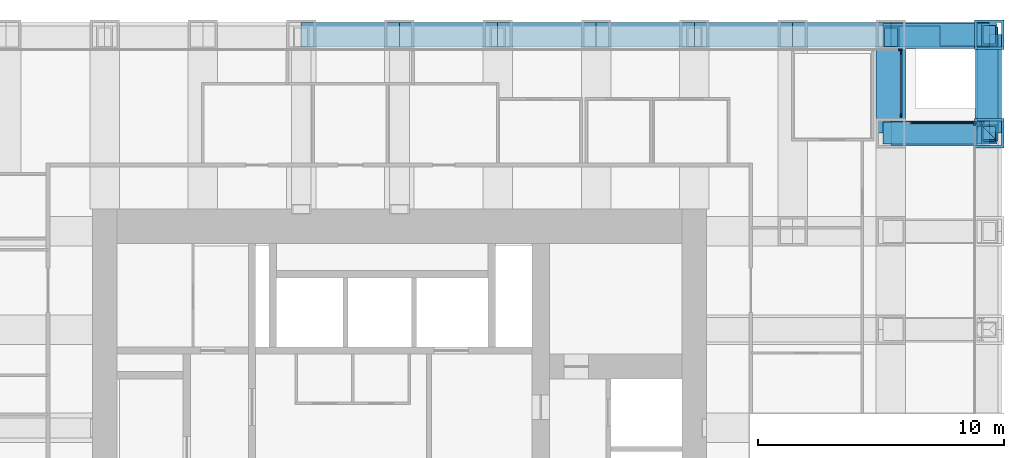
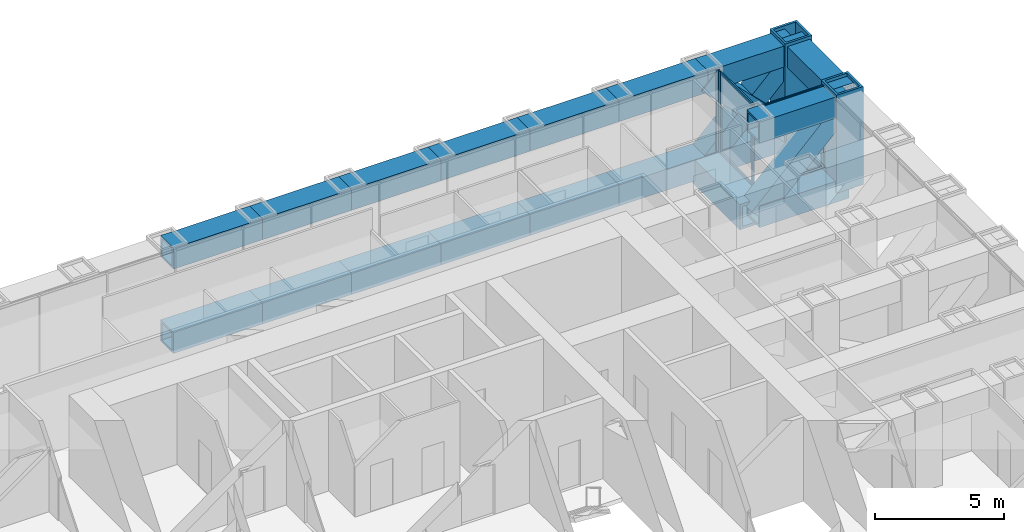
# One storey, part 11 of 18: 19 beams, 15 members, 4 elements without a shape of their own.
"""IFC4 building model written with IfcOpenShell, lengths in metres."""

from ifc_helpers import new_model, si_unit, direction, frame, origin, origin_2d, place, context, subcontext, project, spatial, rectangle, hollow_rectangle, extrude, material, material_profile, profile_set, type_object, element, aggregate, save


model = new_model("IFC4")

# Units and contexts
model_context = context("Model", 3, precision=1e-05, world=origin(), true_north=direction((0.0, 1.0)))
body_context = subcontext(model_context, "Body", "Model", "MODEL_VIEW")
ifc_project = project(units=[si_unit("LENGTHUNIT", "METRE"), si_unit("AREAUNIT", "SQUARE_METRE"), si_unit("VOLUMEUNIT", "CUBIC_METRE"), si_unit("PLANEANGLEUNIT", "RADIAN"), si_unit("MASSUNIT", "GRAM", prefix="KILO")], contexts=[model_context])

# Site, building, storey
site_placement = place(None, origin())
site = spatial("IfcSite", under=ifc_project, at=site_placement, CompositionType="ELEMENT")
building_placement = place(site_placement, origin())
building = spatial("IfcBuilding", under=site, at=building_placement, Name="Rimbunsela Tower", CompositionType="ELEMENT")
storey_placement = place(building_placement, frame((0.0, 0.0, 11.0)))
storey = spatial("IfcBuildingStorey", under=building, at=storey_placement, Name="L02", CompositionType="ELEMENT", Elevation=11.0)

# Beam
ifc_material_1 = material(Name="Steel BJ 55 (fy 410 MPa)", Category="steel")
ifc_material_profile_1 = material_profile(ifc_material_1, hollow_rectangle(XDim=1.199951171875, YDim=1.199951171875, WallThickness=0.125, at=origin_2d()), Name="BOX 1200x1200x125")
ifc_profile_set_1 = profile_set([ifc_material_profile_1], Name="Steel BJ 55 (fy 410 MPa)")
beam_type_1 = type_object("IfcBeamType", Name="Beam BOX 1200x1200x125", PredefinedType="BEAM", material=ifc_profile_set_1)
beam_placement = place(storey_placement, frame((50.0, 40.0, -0.75), z_axis=(0.0, 1.0, 0.0), x_axis=(-1.0, 0.0, 0.0)))
element("IfcBeam", 1, at=beam_placement, inside=storey, type_object=beam_type_1, Name="Beam B4 L02", PredefinedType="BEAM", context=body_context, shape_type="SweptSolid", body=[
    extrude(hollow_rectangle(XDim=1.199951171875, YDim=1.199951171875, WallThickness=0.125, at=origin_2d()), origin(), (0.0, 0.0, 1.0), 4.0),
])

# Curtain wall, member
ifc_material_2 = material(Name="Aluminium curtain wall", Category="aluminium")
curtain_wall_type_1 = type_object("IfcCurtainWallType", Name="Exoskeleton storey infill", PredefinedType="USERDEFINED", material=ifc_material_2)
curtain_wall_1_placement = place(storey_placement, origin())
curtain_wall_1 = element("IfcCurtainWall", 2, at=curtain_wall_1_placement, inside=storey, type_object=curtain_wall_type_1, Name="Exoskeleton storey infill L02", ObjectType="EXOSKELETON STOREY INFILL", PredefinedType="USERDEFINED")
ifc_material_3 = material(Name="Aluminium mullion", Category="aluminium")
ifc_material_profile_2 = material_profile(ifc_material_3, rectangle(XDim=0.06005859375, YDim=0.159912109375, at=origin_2d()), Name="Mullion 60x160")
ifc_profile_set_2 = profile_set([ifc_material_profile_2], Name="Aluminium mullion")
member_type_1 = type_object("IfcMemberType", Name="Curtain wall mullion 60x160", PredefinedType="MULLION", material=ifc_profile_set_2)
member_1_placement = place(storey_placement, frame((53.39990234375, 40.3701171875, 0.0), z_axis=(0.0, 0.0, 1.0), x_axis=(-1.0, 0.0, 0.0)))
member_1 = element("IfcMember", 3, at=member_1_placement, type_object=member_type_1, Name="CW2 mullion 15", PredefinedType="MULLION", context=body_context, shape_type="SweptSolid", body=[
    extrude(rectangle(XDim=0.06005859375, YDim=0.159912109375, at=origin_2d()), origin(), (0.0, 0.0, 1.0), 3.85009765625),
])
aggregate(curtain_wall_1, [member_1])

ifc_material_4 = material(Name="Aluminium curtain wall", Category="aluminium")
curtain_wall_type_2 = type_object("IfcCurtainWallType", Name="Spandrel wall", PredefinedType="USERDEFINED", material=ifc_material_4)
curtain_wall_2_placement = place(storey_placement, origin())
curtain_wall_2 = element("IfcCurtainWall", 4, at=curtain_wall_2_placement, inside=storey, type_object=curtain_wall_type_2, Name="Spandrel wall L02", ObjectType="SPANDREL WALL", PredefinedType="USERDEFINED")
member_2_placement = place(storey_placement, frame((53.3701171875, 40.39990234375, 0.0), z_axis=(0.0, 0.0, 1.0), x_axis=(0.0, -1.0, 0.0)))
member_2 = element("IfcMember", 5, at=member_2_placement, type_object=member_type_1, Name="CW7 mullion 1", PredefinedType="MULLION", context=body_context, shape_type="SweptSolid", body=[
    extrude(rectangle(XDim=0.06005859375, YDim=0.159912109375, at=origin_2d()), origin(), (0.0, 0.0, 1.0), 3.85009765625),
])

# Curtain wall, members
ifc_material_5 = material(Name="Aluminium curtain wall", Category="aluminium")
curtain_wall_type_3 = type_object("IfcCurtainWallType", Name="Corner glazing", PredefinedType="USERDEFINED", material=ifc_material_5)
curtain_wall_3_placement = place(storey_placement, origin())
curtain_wall_3 = element("IfcCurtainWall", 6, at=curtain_wall_3_placement, inside=storey, type_object=curtain_wall_type_3, Name="Corner glazing L02", ObjectType="CORNER GLAZING", PredefinedType="USERDEFINED")
member_3_placement = place(storey_placement, frame((50.39990234375, 40.72998046875, 0.0), z_axis=(0.0, 0.0, 1.0), x_axis=(-1.0, 0.0, 0.0)))
member_3 = element("IfcMember", 7, at=member_3_placement, type_object=member_type_1, Name="CW5 mullion 1", PredefinedType="MULLION", context=body_context, shape_type="SweptSolid", body=[
    extrude(rectangle(XDim=0.06005859375, YDim=0.159912109375, at=origin_2d()), origin(), (0.0, 0.0, 1.0), 3.85009765625),
])
member_4_placement = place(storey_placement, frame((50.39990234375, 43.27001953125, 0.0), z_axis=(0.0, 0.0, 1.0), x_axis=(-1.0, 0.0, 0.0)))
member_4 = element("IfcMember", 8, at=member_4_placement, type_object=member_type_1, Name="CW5 mullion 2", PredefinedType="MULLION", context=body_context, shape_type="SweptSolid", body=[
    extrude(rectangle(XDim=0.06005859375, YDim=0.159912109375, at=origin_2d()), origin(), (0.0, 0.0, 1.0), 3.85009765625),
])

# Curtain wall, member
curtain_wall_4_placement = place(storey_placement, origin())
curtain_wall_4 = element("IfcCurtainWall", 9, at=curtain_wall_4_placement, inside=storey, type_object=curtain_wall_type_1, Name="Exoskeleton storey infill L02", ObjectType="EXOSKELETON STOREY INFILL", PredefinedType="USERDEFINED")
member_5_placement = place(storey_placement, frame((50.3701171875, 43.39990234375, 0.0), z_axis=(0.0, 0.0, 1.0), x_axis=(0.0, -1.0, 0.0)))
member_5 = element("IfcMember", 10, at=member_5_placement, type_object=member_type_1, Name="CW2 mullion 1", PredefinedType="MULLION", context=body_context, shape_type="SweptSolid", body=[
    extrude(rectangle(XDim=0.06005859375, YDim=0.159912109375, at=origin_2d()), origin(), (0.0, 0.0, 1.0), 3.85009765625),
])
aggregate(curtain_wall_4, [member_5])

# Member
ifc_material_6 = material(Name="Aluminium transom", Category="aluminium")
ifc_material_profile_3 = material_profile(ifc_material_6, rectangle(XDim=0.06005859375, YDim=0.1201171875, at=origin_2d()), Name="Transom 60x120")
ifc_profile_set_3 = profile_set([ifc_material_profile_3], Name="Aluminium transom")
member_type_2 = type_object("IfcMemberType", Name="Curtain wall transom 60x120", PredefinedType="USERDEFINED", material=ifc_profile_set_3)
member_6_placement = place(storey_placement, frame((53.340087890625, 40.39990234375, 0.030029296875), z_axis=(-1.0, 0.0, 0.0), x_axis=(0.0, -1.0, 0.0)))
member_6 = element("IfcMember", 11, at=member_6_placement, type_object=member_type_2, Name="CW7 transom 1.1", ObjectType="TRANSOM", PredefinedType="USERDEFINED", context=body_context, shape_type="SweptSolid", body=[
    extrude(rectangle(XDim=0.06005859375, YDim=0.1201171875, at=origin_2d()), origin(), (0.0, 0.0, 1.0), 2.580078125),
])

member_7_placement = place(storey_placement, frame((53.340087890625, 40.39990234375, 3.820068359375), z_axis=(-1.0, 0.0, 0.0), x_axis=(0.0, -1.0, 0.0)))
member_7 = element("IfcMember", 12, at=member_7_placement, type_object=member_type_2, Name="CW7 transom 1.2", ObjectType="TRANSOM", PredefinedType="USERDEFINED", context=body_context, shape_type="SweptSolid", body=[
    extrude(rectangle(XDim=0.06005859375, YDim=0.1201171875, at=origin_2d()), origin(), (0.0, 0.0, 1.0), 2.580078125),
])

aggregate(curtain_wall_2, [member_2, member_6, member_7])

member_8_placement = place(storey_placement, frame((50.39990234375, 40.760009765625, 0.030029296875), z_axis=(0.0, 1.0, 0.0), x_axis=(-1.0, 0.0, 0.0)))
member_8 = element("IfcMember", 13, at=member_8_placement, type_object=member_type_2, Name="CW5 transom 1.1", ObjectType="TRANSOM", PredefinedType="USERDEFINED", context=body_context, shape_type="SweptSolid", body=[
    extrude(rectangle(XDim=0.06005859375, YDim=0.1201171875, at=origin_2d()), origin(), (0.0, 0.0, 1.0), 2.47998046875),
])

member_9_placement = place(storey_placement, frame((50.39990234375, 40.760009765625, 3.820068359375), z_axis=(0.0, 1.0, 0.0), x_axis=(-1.0, 0.0, 0.0)))
member_9 = element("IfcMember", 14, at=member_9_placement, type_object=member_type_2, Name="CW5 transom 1.2", ObjectType="TRANSOM", PredefinedType="USERDEFINED", context=body_context, shape_type="SweptSolid", body=[
    extrude(rectangle(XDim=0.06005859375, YDim=0.1201171875, at=origin_2d()), origin(), (0.0, 0.0, 1.0), 2.47998046875),
])

aggregate(curtain_wall_3, [member_3, member_4, member_8, member_9])

# Beams
ifc_material_7 = material(Name="Steel BJ 55 (fy 410 MPa)", Category="steel")
ifc_material_profile_4 = material_profile(ifc_material_7, hollow_rectangle(XDim=1.0, YDim=1.0, WallThickness=0.10009765625, at=origin_2d()), Name="BOX 1000x1000x100")
ifc_profile_set_4 = profile_set([ifc_material_profile_4], Name="Steel BJ 55 (fy 410 MPa)")
beam_type_2 = type_object("IfcBeamType", Name="Truss chord BOX 1000x1000x100", PredefinedType="USERDEFINED", material=ifc_profile_set_4)
for number, where, z_axis, x_axis, name in (
    (15, (26.0, 44.0, 3.35009765625), (1.0, 0.0, 0.0), (0.0, 1.0, 0.0), "Truss top chord TC1 N face L02"),
    (16, (30.0, 44.0, 3.35009765625), (1.0, 0.0, 0.0), (0.0, 1.0, 0.0), "Truss top chord TC1 N face L02"),
    (17, (34.0, 44.0, 3.35009765625), (1.0, 0.0, 0.0), (0.0, 1.0, 0.0), "Truss top chord TC1 N face L02"),
    (18, (38.0, 44.0, 3.35009765625), (1.0, 0.0, 0.0), (0.0, 1.0, 0.0), "Truss top chord TC1 N face L02"),
    (19, (42.0, 44.0, 3.35009765625), (1.0, 0.0, 0.0), (0.0, 1.0, 0.0), "Truss top chord TC1 N face L02"),
    (20, (46.0, 44.0, 3.35009765625), (1.0, 0.0, 0.0), (0.0, 1.0, 0.0), "Truss top chord TC1 N face L02"),
    (21, (50.0, 44.0, 3.35009765625), (1.0, 0.0, 0.0), (0.0, 1.0, 0.0), "Truss top chord TC1 N face L02"),
    (22, (54.0, 40.0, 3.35009765625), (0.0, 1.0, 0.0), (-1.0, 0.0, 0.0), "Truss top chord TC1 E face L02"),
    (23, (26.0, 44.0, -0.64990234375), (1.0, 0.0, 0.0), (0.0, 1.0, 0.0), "Truss bottom chord TC1 N face L02"),
    (24, (30.0, 44.0, -0.64990234375), (1.0, 0.0, 0.0), (0.0, 1.0, 0.0), "Truss bottom chord TC1 N face L02"),
    (25, (34.0, 44.0, -0.64990234375), (1.0, 0.0, 0.0), (0.0, 1.0, 0.0), "Truss bottom chord TC1 N face L02"),
    (26, (38.0, 44.0, -0.64990234375), (1.0, 0.0, 0.0), (0.0, 1.0, 0.0), "Truss bottom chord TC1 N face L02"),
    (27, (42.0, 44.0, -0.64990234375), (1.0, 0.0, 0.0), (0.0, 1.0, 0.0), "Truss bottom chord TC1 N face L02"),
    (28, (46.0, 44.0, -0.64990234375), (1.0, 0.0, 0.0), (0.0, 1.0, 0.0), "Truss bottom chord TC1 N face L02"),
    (29, (50.0, 44.0, -0.64990234375), (1.0, 0.0, 0.0), (0.0, 1.0, 0.0), "Truss bottom chord TC1 N face L02"),
    (30, (50.0, 40.0, -0.64990234375), (1.0, 0.0, 0.0), (0.0, 1.0, 0.0), "Cantilever truss bottom chord TC1 16/M L02"),
    (31, (50.0, 40.0, 3.35009765625), (1.0, 0.0, 0.0), (0.0, 1.0, 0.0), "Cantilever truss top chord TC1 16/M L02"),
    (32, (54.0, 40.0, -0.64990234375), (0.0, 1.0, 0.0), (-1.0, 0.0, 0.0), "Truss bottom chord TC1 E face L02"),
):
    element("IfcBeam", number, at=place(storey_placement, frame(where, z_axis=z_axis, x_axis=x_axis)), inside=storey, type_object=beam_type_2, Name=name, ObjectType="TRUSS CHORD", PredefinedType="USERDEFINED", context=body_context, shape_type="SweptSolid", body=[
        extrude(hollow_rectangle(XDim=1.0, YDim=1.0, WallThickness=0.10009765625, at=origin_2d()), origin(), (0.0, 0.0, 1.0), 4.0),
    ])

# Members
ifc_material_8 = material(Name="Steel BJ 55 (fy 410 MPa)", Category="steel")
ifc_material_profile_5 = material_profile(ifc_material_8, hollow_rectangle(XDim=0.89990234375, YDim=0.89990234375, WallThickness=0.080078125, at=origin_2d()), Name="BOX 900x900x80")
ifc_profile_set_5 = profile_set([ifc_material_profile_5], Name="Steel BJ 55 (fy 410 MPa)")
member_type_3 = type_object("IfcMemberType", Name="Truss diagonal BOX 900x900x80", PredefinedType="BRACE", material=ifc_profile_set_5)
for number, where, z_axis, x_axis, name in (
    (33, (50.0, 43.89990234375, 3.35009765625), (0.707106781187, 0.0, -0.707106781187), (0.0, 1.0, 0.0), "Truss diagonal TD1 N face L02"),
    (34, (53.89990234375, 40.0, 3.35009765625), (0.0, 0.707106781187, -0.707106781187), (-1.0, 0.0, 0.0), "Truss diagonal TD1 E face L02"),
    (35, (50.0, 40.0, -0.64990234375), (0.707106781187, 0.0, 0.707106781187), (0.0, 1.0, 0.0), "Cantilever truss diagonal TD1 16/M L02"),
    (36, (50.0, 44.0, -0.64990234375), (0.707106781187, 0.0, 0.707106781187), (0.0, 1.0, 0.0), "Cantilever truss diagonal TD1 16/N L02"),
):
    element("IfcMember", number, at=place(storey_placement, frame(where, z_axis=z_axis, x_axis=x_axis)), inside=storey, type_object=member_type_3, Name=name, PredefinedType="BRACE", context=body_context, shape_type="SweptSolid", body=[
        extrude(hollow_rectangle(XDim=0.89990234375, YDim=0.89990234375, WallThickness=0.080078125, at=origin_2d()), origin(), (0.0, 0.0, 1.0), 5.65673828125),
    ])
ifc_material_9 = material(Name="Steel BJ 55 (fy 410 MPa)", Category="steel")
ifc_material_profile_6 = material_profile(ifc_material_9, hollow_rectangle(XDim=1.199951171875, YDim=1.199951171875, WallThickness=0.10009765625, at=origin_2d()), Name="BOX 1200x1200x100")
ifc_profile_set_6 = profile_set([ifc_material_profile_6], Name="Steel BJ 55 (fy 410 MPa)")
member_type_4 = type_object("IfcMemberType", Name="Truss post BOX 1200x1200x100", PredefinedType="POST", material=ifc_profile_set_6)
for number, where, z_axis, x_axis, name in (
    (37, (54.0, 40.0, -0.64990234375), (0.0, 0.0, 1.0), (1.0, 0.0, 0.0), "Truss post TP1 16/M L02"),
    (38, (54.0, 44.0, -0.64990234375), (0.0, 0.0, 1.0), (1.0, 0.0, 0.0), "Truss post TP1 16/N L02"),
):
    element("IfcMember", number, at=place(storey_placement, frame(where, z_axis=z_axis, x_axis=x_axis)), inside=storey, type_object=member_type_4, Name=name, PredefinedType="POST", context=body_context, shape_type="SweptSolid", body=[
        extrude(hollow_rectangle(XDim=1.199951171875, YDim=1.199951171875, WallThickness=0.10009765625, at=origin_2d()), origin(), (0.0, 0.0, 1.0), 4.64990234375),
    ])

save(model, "model.ifc")
